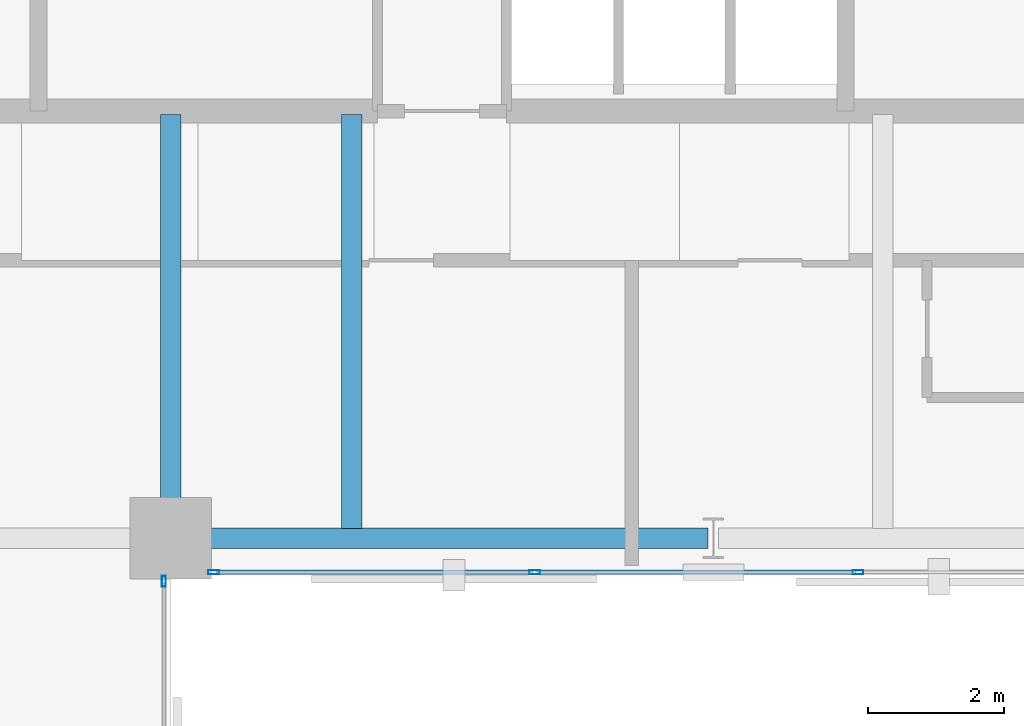
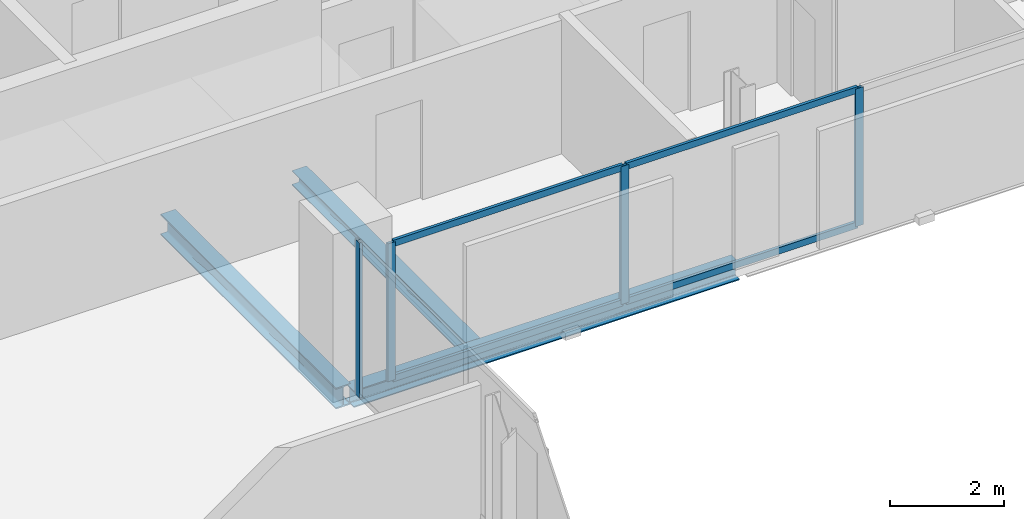
# One storey, part 13 of 33: 8 members, 3 beams, 2 elements without a shape of their own.
"""IFC4 building model written with IfcOpenShell, lengths in metres."""

import ifcopenshell
import ifcopenshell.guid

model = None  # the IFC model being written
_history = None  # IfcOwnerHistory: only IFC2X3 demands one
_inside = {}  # id of a spatial element -> (the spatial element, [elements in it])
_under = {}  # id of a project, library or spatial element -> (it, [spatial elements below it])
_declared = {}  # id of a project -> (the project, [libraries it declares])
_typed = {}  # id of a type object -> (the type object, [elements of that type])
_made_of = {}  # id of a material, layer set ... -> (it, [elements and type objects made of it])


def new_model(schema):
    """Start an empty IFC model of exactly this schema.

    Asked for "IFC4X3", IfcOpenShell would pick the latest addendum, in which some entities
    have other attributes; the version numbers below select the first issue.
    IFC2X3 requires an IfcOwnerHistory on every rooted entity: one is made here for all.
    """
    global model, _history
    if schema == "IFC4X3":
        model = ifcopenshell.file(schema_version=(4, 3, 0, 0))
    else:
        model = ifcopenshell.file(schema=schema)
    _inside.clear()
    _under.clear()
    _declared.clear()
    _typed.clear()
    _made_of.clear()
    _history = None
    if model.schema == "IFC2X3":
        org = make("IfcOrganization", Name="unknown")
        user = make(
            "IfcPersonAndOrganization",
            ThePerson=make("IfcPerson", FamilyName="unknown"),
            TheOrganization=org,
        )
        app = make(
            "IfcApplication",
            ApplicationDeveloper=org,
            Version="unknown",
            ApplicationFullName="unknown",
            ApplicationIdentifier="unknown",
        )
        _history = make(
            "IfcOwnerHistory",
            OwningUser=user,
            OwningApplication=app,
            ChangeAction="ADDED",
            CreationDate=0,
        )
    return model


def make(cls, **values):
    """One entity of the class cls with the attributes given. An attribute that is None is left unset."""
    return model.create_entity(
        cls, **{name: value for name, value in values.items() if value is not None}
    )


def rooted(cls, **values):
    """An entity with a GlobalId (a new one), such as an element, a storey or a relation."""
    return make(cls, GlobalId=ifcopenshell.guid.new(), OwnerHistory=_history, **values)


def si_unit(unit_type, name, prefix=None):
    """IfcSIUnit, for example si_unit("LENGTHUNIT", "METRE", prefix="MILLI")."""
    return make("IfcSIUnit", UnitType=unit_type, Prefix=prefix, Name=name)


def assignment(units):
    """IfcUnitAssignment: the units of a project."""
    return None if units is None else make("IfcUnitAssignment", Units=units)


def point(xyz):
    """IfcCartesianPoint."""
    return None if xyz is None else make("IfcCartesianPoint", Coordinates=xyz)


def direction(xyz):
    """IfcDirection."""
    return None if xyz is None else make("IfcDirection", DirectionRatios=xyz)


def frame(location, z_axis=None, x_axis=None):
    """IfcAxis2Placement3D, a coordinate frame: its origin and axes. An axis left out is left unset."""
    return make(
        "IfcAxis2Placement3D",
        Location=point(location),
        Axis=direction(z_axis),
        RefDirection=direction(x_axis),
    )


def frame_2d(location, x_axis=None):
    """IfcAxis2Placement2D, a coordinate frame in the plane: its origin and x axis."""
    return make(
        "IfcAxis2Placement2D", Location=point(location), RefDirection=direction(x_axis)
    )


def origin():
    """The frame at (0, 0, 0) with its axes left unset."""
    return frame((0.0, 0.0, 0.0))


def origin_2d():
    """The frame at (0, 0) in the plane with its x axis left unset."""
    return frame_2d((0.0, 0.0))


def place(relative_to, where):
    """IfcLocalPlacement: puts the frame where relative to a parent placement (None: the world)."""
    return make(
        "IfcLocalPlacement", PlacementRelTo=relative_to, RelativePlacement=where
    )


def context(
    kind, dimensions, precision=None, world=None, true_north=None, identifier=None
):
    """IfcGeometricRepresentationContext, for example the 3D "Model" context."""
    return make(
        "IfcGeometricRepresentationContext",
        ContextIdentifier=identifier,
        ContextType=kind,
        CoordinateSpaceDimension=dimensions,
        Precision=precision,
        WorldCoordinateSystem=world,
        TrueNorth=true_north,
    )


def subcontext(parent, identifier, kind, view, scale=None):
    """IfcGeometricRepresentationSubContext, for example "Body" below "Model"."""
    return make(
        "IfcGeometricRepresentationSubContext",
        ContextIdentifier=identifier,
        ContextType=kind,
        ParentContext=parent,
        TargetScale=scale,
        TargetView=view,
    )


def project(units=None, contexts=None):
    """IfcProject with its units and contexts."""
    return rooted(
        "IfcProject",
        Name="project",
        RepresentationContexts=contexts,
        UnitsInContext=assignment(units),
    )


def spatial(cls, under=None, at=None, **own):
    """A site, building, storey or space (cls), placed at a placement, below another one or the project."""
    s = rooted(cls, ObjectPlacement=at, **own)
    if under is not None:
        _under.setdefault(under.id(), (under, []))[1].append(s)
    return s


def profile(cls, at=None, kind="AREA", **sizes):
    """A parametric profile (cls). Its sizes go by their IFC names, for example OverallWidth=200.0."""
    return make(cls, ProfileType=kind, Position=at, **sizes)


def hollow_rectangle(**sizes):
    """IfcRectangleHollowProfileDef."""
    return profile("IfcRectangleHollowProfileDef", **sizes)


def i_section(**sizes):
    """IfcIShapeProfileDef."""
    return profile("IfcIShapeProfileDef", **sizes)


def extrude(swept, where, along, depth):
    """IfcExtrudedAreaSolid: the profile swept, set in the frame where, extruded along a direction by depth."""
    return make(
        "IfcExtrudedAreaSolid",
        SweptArea=swept,
        Position=where,
        ExtrudedDirection=direction(along),
        Depth=depth,
    )


def shape(context_of_items, identifier, shape_type, items):
    """IfcShapeRepresentation: the items that make up one representation, for example the "Body"."""
    return make(
        "IfcShapeRepresentation",
        ContextOfItems=context_of_items,
        RepresentationIdentifier=identifier,
        RepresentationType=shape_type,
        Items=items,
    )


def material(Name=None, Category=None):
    """IfcMaterial."""
    return make("IfcMaterial", Name=Name, Category=Category)


def layer(
    of_material, thickness, ventilated=None, Name=None, Category=None, Priority=None
):
    """IfcMaterialLayer: one layer of a wall or slab, of a material (None: an air gap)."""
    return make(
        "IfcMaterialLayer",
        Material=of_material,
        LayerThickness=thickness,
        IsVentilated=ventilated,
        Name=Name,
        Category=Category,
        Priority=Priority,
    )


def layer_set(layers, Name=None):
    """IfcMaterialLayerSet."""
    return make("IfcMaterialLayerSet", MaterialLayers=layers, LayerSetName=Name)


def material_profile(
    of_material, cross_section, Name=None, Category=None, Priority=None
):
    """IfcMaterialProfile: a cross section and its material."""
    return make(
        "IfcMaterialProfile",
        Name=Name,
        Material=of_material,
        Profile=cross_section,
        Priority=Priority,
        Category=Category,
    )


def profile_set(profiles, Name=None, composite=None):
    """IfcMaterialProfileSet."""
    return make(
        "IfcMaterialProfileSet",
        Name=Name,
        MaterialProfiles=profiles,
        CompositeProfile=composite,
    )


def made_of(thing, what):
    """Note that an element or type object is made of a material, layer set ...; save() writes the relation."""
    if what is not None:
        _made_of.setdefault(what.id(), (what, []))[1].append(thing)
    return thing


def type_object(cls, material=None, **own):
    """A type object (cls), such as IfcWallType, which elements share."""
    return made_of(rooted(cls, **own), material)


def element(
    cls,
    number,
    at=None,
    inside=None,
    cuts=None,
    type_object=None,
    material=None,
    context=None,
    identifier="Body",
    shape_type=None,
    held_by="IfcProductDefinitionShape",
    body=None,
    shapes=None,
    **own,
):
    """One element of the class cls, such as IfcWall. Its Tag is "e" and its number.

    at: its placement. inside: the storey or other place that contains it. cuts: it is an
    opening in that element (IfcRelVoidsElement). A single representation is given by context,
    identifier, shape_type and body (its items); several are given by shapes. held_by: the class
    of the entity that holds the representations. save() writes the other relations.
    """
    e = rooted(cls, Tag="e%d" % number, ObjectPlacement=at, **own)
    if body is not None:
        shapes = [shape(context, identifier, shape_type, body)]
    if shapes is not None:
        e.Representation = make(held_by, Representations=shapes)
    if inside is not None:
        _inside.setdefault(inside.id(), (inside, []))[1].append(e)
    if cuts is not None:
        rooted(
            "IfcRelVoidsElement", RelatingBuildingElement=cuts, RelatedOpeningElement=e
        )
    if type_object is not None:
        _typed.setdefault(type_object.id(), (type_object, []))[1].append(e)
    return made_of(e, material)


def aggregate(whole, parts):
    """IfcRelAggregates: a whole, such as a stair, and the parts it consists of."""
    return rooted("IfcRelAggregates", RelatingObject=whole, RelatedObjects=parts)


def save(model, path):
    """Write the relations noted so far, then the file.

    IfcRelAggregates (storeys below a building ...), IfcRelContainedInSpatialStructure (elements
    in a storey), IfcRelDefinesByType, IfcRelAssociatesMaterial and IfcRelDeclares: one each for
    every whole, place, type object, material and project.
    """
    for whole, parts in _under.values():
        aggregate(whole, parts)
    for where, things in _inside.values():
        rooted(
            "IfcRelContainedInSpatialStructure",
            RelatedElements=things,
            RelatingStructure=where,
        )
    for kind, things in _typed.values():
        rooted("IfcRelDefinesByType", RelatedObjects=things, RelatingType=kind)
    for what, things in _made_of.values():
        rooted("IfcRelAssociatesMaterial", RelatedObjects=things, RelatingMaterial=what)
    for by, libraries in _declared.values():
        rooted("IfcRelDeclares", RelatingContext=by, RelatedDefinitions=libraries)
    model.write(path)


model = new_model("IFC4")

# Units and contexts
model_context = context("Model", 3, precision=1e-05, world=origin(), true_north=direction((0.0, 1.0)))
body_context = subcontext(model_context, "Body", "Model", "MODEL_VIEW")
ifc_project = project(units=[si_unit("LENGTHUNIT", "METRE"), si_unit("AREAUNIT", "SQUARE_METRE"), si_unit("VOLUMEUNIT", "CUBIC_METRE"), si_unit("PLANEANGLEUNIT", "RADIAN"), si_unit("MASSUNIT", "GRAM", prefix="KILO")], contexts=[model_context])

# Site, building, storey
site_placement = place(None, origin())
site = spatial("IfcSite", under=ifc_project, at=site_placement, CompositionType="ELEMENT")
building_placement = place(site_placement, origin())
building = spatial("IfcBuilding", under=site, at=building_placement, Name="Catumbela Crestline Tower", CompositionType="ELEMENT")
storey_placement = place(building_placement, frame((0.0, 0.0, 118.8)))
storey = spatial("IfcBuildingStorey", under=building, at=storey_placement, Name="L30", CompositionType="ELEMENT", Elevation=118.8)

# Beams
ifc_material_1 = material(Name="Structural steel S355J2", Category="steel")
ifc_material_profile_1 = material_profile(ifc_material_1, i_section(OverallWidth=0.3, OverallDepth=0.45, WebThickness=0.014, FlangeThickness=0.026, FilletRadius=0.027, at=origin_2d()), Name="HEB 450")
ifc_profile_set_1 = profile_set([ifc_material_profile_1], Name="Structural steel S355J2")
beam_type_1 = type_object("IfcBeamType", Name="BG-HEB450", PredefinedType="BEAM", material=ifc_profile_set_1)
beam_1_placement = place(storey_placement, frame((24.0, 24.58, -0.485), z_axis=(0.0, 1.0, 0.0), x_axis=(-1.0, 0.0, 0.0)))
element("IfcBeam", 1, at=beam_1_placement, inside=storey, type_object=beam_type_1, Name="L30 Beam BM-L30-SNS29", PredefinedType="BEAM", context=body_context, shape_type="SweptSolid", body=[
    extrude(i_section(OverallWidth=0.3, OverallDepth=0.45, WebThickness=0.014, FlangeThickness=0.026, FilletRadius=0.027, at=origin_2d()), origin(), (0.0, 0.0, 1.0), 6.17),
])
ifc_material_profile_2 = material_profile(ifc_material_1, i_section(OverallWidth=0.3, OverallDepth=0.31, WebThickness=0.009, FlangeThickness=0.0155, FilletRadius=0.027, at=origin_2d()), Name="HEA 320")
ifc_profile_set_2 = profile_set([ifc_material_profile_2], Name="Structural steel S355J2")
beam_type_2 = type_object("IfcBeamType", Name="BJ-HEA320", PredefinedType="JOIST", material=ifc_profile_set_2)
beam_2_placement = place(storey_placement, frame((26.667, 24.647, -0.415), z_axis=(0.0, 1.0, 0.0), x_axis=(-1.0, 0.0, 0.0)))
element("IfcBeam", 2, at=beam_2_placement, inside=storey, type_object=beam_type_2, Name="L30 Joist JS-L30-SP39", PredefinedType="JOIST", context=body_context, shape_type="SweptSolid", body=[
    extrude(i_section(OverallWidth=0.3, OverallDepth=0.31, WebThickness=0.009, FlangeThickness=0.0155, FilletRadius=0.027, at=origin_2d()), origin(), (0.0, 0.0, 1.0), 6.103),
])

# Curtain wall, member
ifc_material_2 = material(Name="Aluminium alloy AW-6060-T66", Category="aluminium")
ifc_layer = layer(ifc_material_2, 0.18, Name="Aluminium alloy AW-6060-T66")
ifc_layer_set = layer_set([ifc_layer], Name="Aluminium alloy AW-6060-T66")
curtain_wall_type = type_object("IfcCurtainWallType", Name="CWU-Z2", PredefinedType="USERDEFINED", material=ifc_layer_set)
curtain_wall_1_placement = place(storey_placement, origin())
curtain_wall_1 = element("IfcCurtainWall", 3, at=curtain_wall_1_placement, inside=storey, type_object=curtain_wall_type, Name="L30 Unitised Curtain Wall CW-L30-E2S1", ObjectType="UNITISED", PredefinedType="USERDEFINED")
ifc_material_profile_3 = material_profile(ifc_material_2, hollow_rectangle(XDim=0.06, YDim=0.16, WallThickness=0.004, at=origin_2d()), Name="ALU 160x60x4")
ifc_profile_set_3 = profile_set([ifc_material_profile_3], Name="Aluminium alloy AW-6060-T66")
member_type_1 = type_object("IfcMemberType", Name="MUL-160X60", PredefinedType="MULLION", material=ifc_profile_set_3)
member_1_placement = place(storey_placement, frame((23.9, 23.8675, 0.0), z_axis=(0.0, 0.0, 1.0), x_axis=(-1.0, 0.0, 0.0)))
member_1 = element("IfcMember", 4, at=member_1_placement, type_object=member_type_1, Name="CWU-Z2 mullion 5", PredefinedType="MULLION", context=body_context, shape_type="SweptSolid", body=[
    extrude(hollow_rectangle(XDim=0.06, YDim=0.16, WallThickness=0.004, at=origin_2d()), origin(), (0.0, 0.0, 1.0), 3.33),
])
aggregate(curtain_wall_1, [member_1])

# Curtain wall, members
curtain_wall_2_placement = place(storey_placement, origin())
curtain_wall_2 = element("IfcCurtainWall", 5, at=curtain_wall_2_placement, inside=storey, type_object=curtain_wall_type, Name="L30 Unitised Curtain Wall CW-L30-E3S1", ObjectType="UNITISED", PredefinedType="USERDEFINED")
member_2_placement = place(storey_placement, frame((24.6325, 24.0, 0.0), z_axis=(0.0, 0.0, 1.0), x_axis=(0.0, 1.0, 0.0)))
member_2 = element("IfcMember", 6, at=member_2_placement, type_object=member_type_1, Name="CWU-Z2 mullion 1", PredefinedType="MULLION", context=body_context, shape_type="SweptSolid", body=[
    extrude(hollow_rectangle(XDim=0.06, YDim=0.16, WallThickness=0.004, at=origin_2d()), origin(), (0.0, 0.0, 1.0), 2.96),
])
member_3_placement = place(storey_placement, frame((29.3667, 24.0, 0.0), z_axis=(0.0, 0.0, 1.0), x_axis=(0.0, 1.0, 0.0)))
member_3 = element("IfcMember", 7, at=member_3_placement, type_object=member_type_1, Name="CWU-Z2 mullion 2", PredefinedType="MULLION", context=body_context, shape_type="SweptSolid", body=[
    extrude(hollow_rectangle(XDim=0.06, YDim=0.16, WallThickness=0.004, at=origin_2d()), origin(), (0.0, 0.0, 1.0), 2.96),
])
member_4_placement = place(storey_placement, frame((34.1333, 24.0, 0.0), z_axis=(0.0, 0.0, 1.0), x_axis=(0.0, 1.0, 0.0)))
member_4 = element("IfcMember", 8, at=member_4_placement, type_object=member_type_1, Name="CWU-Z2 mullion 3", PredefinedType="MULLION", context=body_context, shape_type="SweptSolid", body=[
    extrude(hollow_rectangle(XDim=0.06, YDim=0.16, WallThickness=0.004, at=origin_2d()), origin(), (0.0, 0.0, 1.0), 2.96),
])

# Beam
ifc_material_profile_4 = material_profile(ifc_material_1, i_section(OverallWidth=0.3, OverallDepth=0.36, WebThickness=0.0125, FlangeThickness=0.0225, FilletRadius=0.027, at=origin_2d()), Name="HEB 360")
ifc_profile_set_4 = profile_set([ifc_material_profile_4], Name="Structural steel S355J2")
beam_type_3 = type_object("IfcBeamType", Name="BS-HEB360", PredefinedType="SPANDREL", material=ifc_profile_set_4)
beam_3_placement = place(storey_placement, frame((24.08, 24.5, -0.44), z_axis=(1.0, 0.0, 0.0), x_axis=(0.0, 1.0, 0.0)))
element("IfcBeam", 9, at=beam_3_placement, inside=storey, type_object=beam_type_3, Name="L30 Spandrel SP-L30-S05", PredefinedType="SPANDREL", context=body_context, shape_type="SweptSolid", body=[
    extrude(i_section(OverallWidth=0.3, OverallDepth=0.36, WebThickness=0.0125, FlangeThickness=0.0225, FilletRadius=0.027, at=origin_2d()), origin(), (0.0, 0.0, 1.0), 7.84),
])

# Member
ifc_material_profile_5 = material_profile(ifc_material_2, hollow_rectangle(XDim=0.06, YDim=0.14, WallThickness=0.004, at=origin_2d()), Name="ALU 140x60x4")
ifc_profile_set_5 = profile_set([ifc_material_profile_5], Name="Aluminium alloy AW-6060-T66")
member_type_2 = type_object("IfcMemberType", Name="TRN-140X60", PredefinedType="USERDEFINED", material=ifc_profile_set_5)
member_5_placement = place(storey_placement, frame((24.665, 24.0, 0.03), z_axis=(1.0, 0.0, 0.0), x_axis=(0.0, 1.0, 0.0)))
member_5 = element("IfcMember", 10, at=member_5_placement, type_object=member_type_2, Name="CWU-Z2 transom 1.1", ObjectType="TRANSOM", PredefinedType="USERDEFINED", context=body_context, shape_type="SweptSolid", body=[
    extrude(hollow_rectangle(XDim=0.06, YDim=0.14, WallThickness=0.004, at=origin_2d()), origin(), (0.0, 0.0, 1.0), 4.6692),
])

member_6_placement = place(storey_placement, frame((24.665, 24.0, 2.93), z_axis=(1.0, 0.0, 0.0), x_axis=(0.0, 1.0, 0.0)))
member_6 = element("IfcMember", 11, at=member_6_placement, type_object=member_type_2, Name="CWU-Z2 transom 1.2", ObjectType="TRANSOM", PredefinedType="USERDEFINED", context=body_context, shape_type="SweptSolid", body=[
    extrude(hollow_rectangle(XDim=0.06, YDim=0.14, WallThickness=0.004, at=origin_2d()), origin(), (0.0, 0.0, 1.0), 4.6692),
])

member_7_placement = place(storey_placement, frame((29.3992, 24.0, 0.03), z_axis=(1.0, 0.0, 0.0), x_axis=(0.0, 1.0, 0.0)))
member_7 = element("IfcMember", 12, at=member_7_placement, type_object=member_type_2, Name="CWU-Z2 transom 2.1", ObjectType="TRANSOM", PredefinedType="USERDEFINED", context=body_context, shape_type="SweptSolid", body=[
    extrude(hollow_rectangle(XDim=0.06, YDim=0.14, WallThickness=0.004, at=origin_2d()), origin(), (0.0, 0.0, 1.0), 4.7016),
])

member_8_placement = place(storey_placement, frame((29.3992, 24.0, 2.93), z_axis=(1.0, 0.0, 0.0), x_axis=(0.0, 1.0, 0.0)))
member_8 = element("IfcMember", 13, at=member_8_placement, type_object=member_type_2, Name="CWU-Z2 transom 2.2", ObjectType="TRANSOM", PredefinedType="USERDEFINED", context=body_context, shape_type="SweptSolid", body=[
    extrude(hollow_rectangle(XDim=0.06, YDim=0.14, WallThickness=0.004, at=origin_2d()), origin(), (0.0, 0.0, 1.0), 4.7016),
])

aggregate(curtain_wall_2, [member_2, member_3, member_4, member_5, member_6, member_7, member_8])

save(model, "model.ifc")
